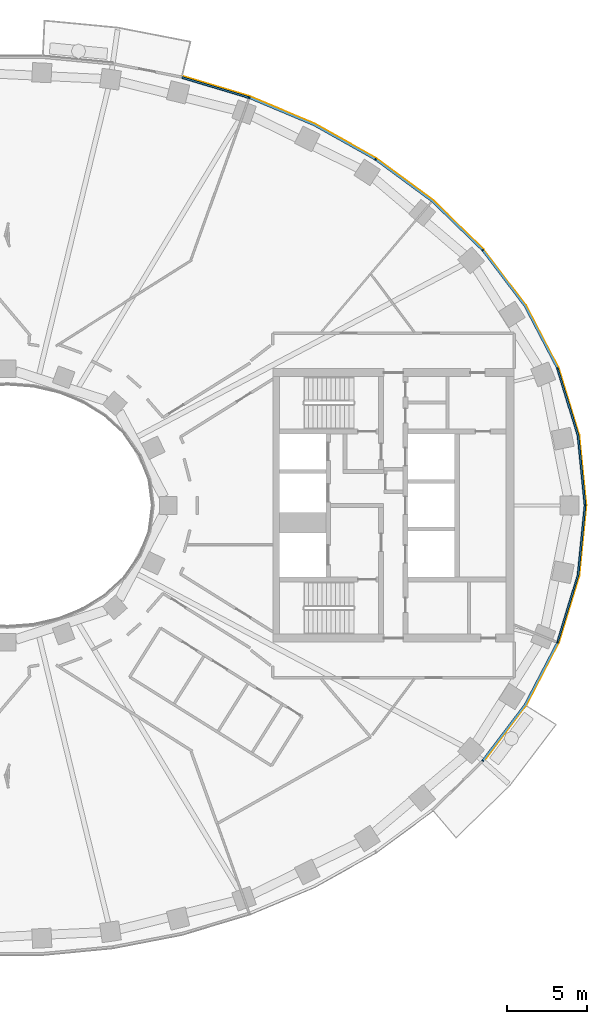
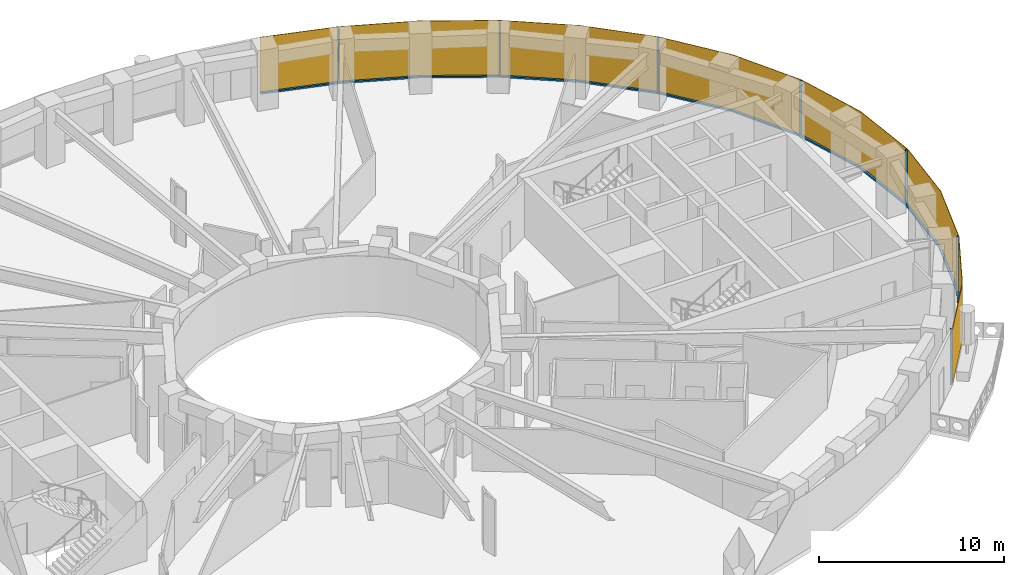
# One storey, part 13 of 16: 14 members, 1 curtain wall.
"""IFC4 building model written with IfcOpenShell, lengths in metres."""

import ifcopenshell
import ifcopenshell.guid

model = None  # the IFC model being written
_history = None  # IfcOwnerHistory: only IFC2X3 demands one
_inside = {}  # id of a spatial element -> (the spatial element, [elements in it])
_under = {}  # id of a project, library or spatial element -> (it, [spatial elements below it])
_declared = {}  # id of a project -> (the project, [libraries it declares])
_typed = {}  # id of a type object -> (the type object, [elements of that type])
_made_of = {}  # id of a material, layer set ... -> (it, [elements and type objects made of it])


def new_model(schema):
    """Start an empty IFC model of exactly this schema.

    Asked for "IFC4X3", IfcOpenShell would pick the latest addendum, in which some entities
    have other attributes; the version numbers below select the first issue.
    IFC2X3 requires an IfcOwnerHistory on every rooted entity: one is made here for all.
    """
    global model, _history
    if schema == "IFC4X3":
        model = ifcopenshell.file(schema_version=(4, 3, 0, 0))
    else:
        model = ifcopenshell.file(schema=schema)
    _inside.clear()
    _under.clear()
    _declared.clear()
    _typed.clear()
    _made_of.clear()
    _history = None
    if model.schema == "IFC2X3":
        org = make("IfcOrganization", Name="unknown")
        user = make(
            "IfcPersonAndOrganization",
            ThePerson=make("IfcPerson", FamilyName="unknown"),
            TheOrganization=org,
        )
        app = make(
            "IfcApplication",
            ApplicationDeveloper=org,
            Version="unknown",
            ApplicationFullName="unknown",
            ApplicationIdentifier="unknown",
        )
        _history = make(
            "IfcOwnerHistory",
            OwningUser=user,
            OwningApplication=app,
            ChangeAction="ADDED",
            CreationDate=0,
        )
    return model


def make(cls, **values):
    """One entity of the class cls with the attributes given. An attribute that is None is left unset."""
    return model.create_entity(
        cls, **{name: value for name, value in values.items() if value is not None}
    )


def rooted(cls, **values):
    """An entity with a GlobalId (a new one), such as an element, a storey or a relation."""
    return make(cls, GlobalId=ifcopenshell.guid.new(), OwnerHistory=_history, **values)


def si_unit(unit_type, name, prefix=None):
    """IfcSIUnit, for example si_unit("LENGTHUNIT", "METRE", prefix="MILLI")."""
    return make("IfcSIUnit", UnitType=unit_type, Prefix=prefix, Name=name)


def assignment(units):
    """IfcUnitAssignment: the units of a project."""
    return None if units is None else make("IfcUnitAssignment", Units=units)


def point(xyz):
    """IfcCartesianPoint."""
    return None if xyz is None else make("IfcCartesianPoint", Coordinates=xyz)


def direction(xyz):
    """IfcDirection."""
    return None if xyz is None else make("IfcDirection", DirectionRatios=xyz)


def frame(location, z_axis=None, x_axis=None):
    """IfcAxis2Placement3D, a coordinate frame: its origin and axes. An axis left out is left unset."""
    return make(
        "IfcAxis2Placement3D",
        Location=point(location),
        Axis=direction(z_axis),
        RefDirection=direction(x_axis),
    )


def frame_2d(location, x_axis=None):
    """IfcAxis2Placement2D, a coordinate frame in the plane: its origin and x axis."""
    return make(
        "IfcAxis2Placement2D", Location=point(location), RefDirection=direction(x_axis)
    )


def origin():
    """The frame at (0, 0, 0) with its axes left unset."""
    return frame((0.0, 0.0, 0.0))


def origin_2d():
    """The frame at (0, 0) in the plane with its x axis left unset."""
    return frame_2d((0.0, 0.0))


def place(relative_to, where):
    """IfcLocalPlacement: puts the frame where relative to a parent placement (None: the world)."""
    return make(
        "IfcLocalPlacement", PlacementRelTo=relative_to, RelativePlacement=where
    )


def context(
    kind, dimensions, precision=None, world=None, true_north=None, identifier=None
):
    """IfcGeometricRepresentationContext, for example the 3D "Model" context."""
    return make(
        "IfcGeometricRepresentationContext",
        ContextIdentifier=identifier,
        ContextType=kind,
        CoordinateSpaceDimension=dimensions,
        Precision=precision,
        WorldCoordinateSystem=world,
        TrueNorth=true_north,
    )


def subcontext(parent, identifier, kind, view, scale=None):
    """IfcGeometricRepresentationSubContext, for example "Body" below "Model"."""
    return make(
        "IfcGeometricRepresentationSubContext",
        ContextIdentifier=identifier,
        ContextType=kind,
        ParentContext=parent,
        TargetScale=scale,
        TargetView=view,
    )


def project(units=None, contexts=None):
    """IfcProject with its units and contexts."""
    return rooted(
        "IfcProject",
        Name="project",
        RepresentationContexts=contexts,
        UnitsInContext=assignment(units),
    )


def spatial(cls, under=None, at=None, **own):
    """A site, building, storey or space (cls), placed at a placement, below another one or the project."""
    s = rooted(cls, ObjectPlacement=at, **own)
    if under is not None:
        _under.setdefault(under.id(), (under, []))[1].append(s)
    return s


def polyline(points):
    """IfcPolyline through the points."""
    return make("IfcPolyline", Points=[point(p) for p in points])


def profile(cls, at=None, kind="AREA", **sizes):
    """A parametric profile (cls). Its sizes go by their IFC names, for example OverallWidth=200.0."""
    return make(cls, ProfileType=kind, Position=at, **sizes)


def rectangle(**sizes):
    """IfcRectangleProfileDef."""
    return profile("IfcRectangleProfileDef", **sizes)


def outline(outer, holes=None, kind="AREA"):
    """IfcArbitraryClosedProfileDef: a profile drawn as a closed curve; with holes, ...WithVoids."""
    if holes is None:
        return make("IfcArbitraryClosedProfileDef", ProfileType=kind, OuterCurve=outer)
    return make(
        "IfcArbitraryProfileDefWithVoids",
        ProfileType=kind,
        OuterCurve=outer,
        InnerCurves=holes,
    )


def extrude(swept, where, along, depth):
    """IfcExtrudedAreaSolid: the profile swept, set in the frame where, extruded along a direction by depth."""
    return make(
        "IfcExtrudedAreaSolid",
        SweptArea=swept,
        Position=where,
        ExtrudedDirection=direction(along),
        Depth=depth,
    )


def shape(context_of_items, identifier, shape_type, items):
    """IfcShapeRepresentation: the items that make up one representation, for example the "Body"."""
    return make(
        "IfcShapeRepresentation",
        ContextOfItems=context_of_items,
        RepresentationIdentifier=identifier,
        RepresentationType=shape_type,
        Items=items,
    )


def material(Name=None, Category=None):
    """IfcMaterial."""
    return make("IfcMaterial", Name=Name, Category=Category)


def layer(
    of_material, thickness, ventilated=None, Name=None, Category=None, Priority=None
):
    """IfcMaterialLayer: one layer of a wall or slab, of a material (None: an air gap)."""
    return make(
        "IfcMaterialLayer",
        Material=of_material,
        LayerThickness=thickness,
        IsVentilated=ventilated,
        Name=Name,
        Category=Category,
        Priority=Priority,
    )


def layer_set(layers, Name=None):
    """IfcMaterialLayerSet."""
    return make("IfcMaterialLayerSet", MaterialLayers=layers, LayerSetName=Name)


def material_profile(
    of_material, cross_section, Name=None, Category=None, Priority=None
):
    """IfcMaterialProfile: a cross section and its material."""
    return make(
        "IfcMaterialProfile",
        Name=Name,
        Material=of_material,
        Profile=cross_section,
        Priority=Priority,
        Category=Category,
    )


def profile_set(profiles, Name=None, composite=None):
    """IfcMaterialProfileSet."""
    return make(
        "IfcMaterialProfileSet",
        Name=Name,
        MaterialProfiles=profiles,
        CompositeProfile=composite,
    )


def made_of(thing, what):
    """Note that an element or type object is made of a material, layer set ...; save() writes the relation."""
    if what is not None:
        _made_of.setdefault(what.id(), (what, []))[1].append(thing)
    return thing


def type_object(cls, material=None, **own):
    """A type object (cls), such as IfcWallType, which elements share."""
    return made_of(rooted(cls, **own), material)


def element(
    cls,
    number,
    at=None,
    inside=None,
    cuts=None,
    type_object=None,
    material=None,
    context=None,
    identifier="Body",
    shape_type=None,
    held_by="IfcProductDefinitionShape",
    body=None,
    shapes=None,
    **own,
):
    """One element of the class cls, such as IfcWall. Its Tag is "e" and its number.

    at: its placement. inside: the storey or other place that contains it. cuts: it is an
    opening in that element (IfcRelVoidsElement). A single representation is given by context,
    identifier, shape_type and body (its items); several are given by shapes. held_by: the class
    of the entity that holds the representations. save() writes the other relations.
    """
    e = rooted(cls, Tag="e%d" % number, ObjectPlacement=at, **own)
    if body is not None:
        shapes = [shape(context, identifier, shape_type, body)]
    if shapes is not None:
        e.Representation = make(held_by, Representations=shapes)
    if inside is not None:
        _inside.setdefault(inside.id(), (inside, []))[1].append(e)
    if cuts is not None:
        rooted(
            "IfcRelVoidsElement", RelatingBuildingElement=cuts, RelatedOpeningElement=e
        )
    if type_object is not None:
        _typed.setdefault(type_object.id(), (type_object, []))[1].append(e)
    return made_of(e, material)


def aggregate(whole, parts):
    """IfcRelAggregates: a whole, such as a stair, and the parts it consists of."""
    return rooted("IfcRelAggregates", RelatingObject=whole, RelatedObjects=parts)


def save(model, path):
    """Write the relations noted so far, then the file.

    IfcRelAggregates (storeys below a building ...), IfcRelContainedInSpatialStructure (elements
    in a storey), IfcRelDefinesByType, IfcRelAssociatesMaterial and IfcRelDeclares: one each for
    every whole, place, type object, material and project.
    """
    for whole, parts in _under.values():
        aggregate(whole, parts)
    for where, things in _inside.values():
        rooted(
            "IfcRelContainedInSpatialStructure",
            RelatedElements=things,
            RelatingStructure=where,
        )
    for kind, things in _typed.values():
        rooted("IfcRelDefinesByType", RelatedObjects=things, RelatingType=kind)
    for what, things in _made_of.values():
        rooted("IfcRelAssociatesMaterial", RelatedObjects=things, RelatingMaterial=what)
    for by, libraries in _declared.values():
        rooted("IfcRelDeclares", RelatingContext=by, RelatedDefinitions=libraries)
    model.write(path)


model = new_model("IFC4")

# Units and contexts
model_context = context("Model", 3, precision=1e-05, world=origin(), true_north=direction((0.0, 1.0)))
body_context = subcontext(model_context, "Body", "Model", "MODEL_VIEW")
ifc_project = project(units=[si_unit("LENGTHUNIT", "METRE"), si_unit("AREAUNIT", "SQUARE_METRE"), si_unit("VOLUMEUNIT", "CUBIC_METRE"), si_unit("PLANEANGLEUNIT", "RADIAN"), si_unit("MASSUNIT", "GRAM", prefix="KILO")], contexts=[model_context])

# Member
ifc_material_1 = material(Name="Aluminium 6063-T6 black anodised", Category="aluminium")
ifc_material_profile = material_profile(ifc_material_1, rectangle(XDim=0.1201171875, YDim=0.06005859375, at=origin_2d()), Name="120x60")
ifc_profile_set = profile_set([ifc_material_profile], Name="Aluminium 6063-T6 black anodised")
member_type_1 = type_object("IfcMemberType", Name="ENV-MULLION-A-120", PredefinedType="MULLION", material=ifc_profile_set)
site_placement = place(None, origin())
building_placement = place(site_placement, origin())
storey_placement = place(building_placement, frame((0.0, 0.0, 166.0)))
member_1_placement = place(storey_placement, frame((29.53857421875, -15.8671875, 0.0), z_axis=(0.0, 0.0, 1.0), x_axis=(-0.749047221705, 0.662516610853, 0.0)))
member_1 = element("IfcMember", 1, at=member_1_placement, type_object=member_type_1, Name="Mullion A radial 43", PredefinedType="MULLION", context=body_context, shape_type="SweptSolid", body=[
    extrude(rectangle(XDim=0.1201171875, YDim=0.06005859375, at=origin_2d()), origin(), (0.0, 0.0, 1.0), 3.699951171875),
])

member_2_placement = place(storey_placement, frame((34.19580078125, -8.513916015625, 0.0), z_axis=(0.0, 0.0, 1.0), x_axis=(-0.92546738067, 0.378827305398, 0.0)))
member_2 = element("IfcMember", 2, at=member_2_placement, type_object=member_type_1, Name="Mullion A radial 45", PredefinedType="MULLION", context=body_context, shape_type="SweptSolid", body=[
    extrude(rectangle(XDim=0.1201171875, YDim=0.06005859375, at=origin_2d()), origin(), (0.0, 0.0, 1.0), 3.699951171875),
])

member_3_placement = place(storey_placement, frame((35.907958984375, 0.0, 0.0), z_axis=(0.0, 0.0, 1.0), x_axis=(-1.0, 0.0, 0.0)))
member_3 = element("IfcMember", 3, at=member_3_placement, type_object=member_type_1, Name="Mullion A radial 01", PredefinedType="MULLION", context=body_context, shape_type="SweptSolid", body=[
    extrude(rectangle(XDim=0.1201171875, YDim=0.06005859375, at=origin_2d()), origin(), (0.0, 0.0, 1.0), 3.699951171875),
])

member_4_placement = place(storey_placement, frame((34.19580078125, 8.513916015625, 0.0), z_axis=(0.0, 0.0, 1.0), x_axis=(-0.92546738067, -0.378827305398, 0.0)))
member_4 = element("IfcMember", 4, at=member_4_placement, type_object=member_type_1, Name="Mullion A radial 03", PredefinedType="MULLION", context=body_context, shape_type="SweptSolid", body=[
    extrude(rectangle(XDim=0.1201171875, YDim=0.06005859375, at=origin_2d()), origin(), (0.0, 0.0, 1.0), 3.699951171875),
])

member_5_placement = place(storey_placement, frame((29.53857421875, 15.8671875, 0.0), z_axis=(0.0, 0.0, 1.0), x_axis=(-0.749047221705, -0.662516610853, 0.0)))
member_5 = element("IfcMember", 5, at=member_5_placement, type_object=member_type_1, Name="Mullion A radial 05", PredefinedType="MULLION", context=body_context, shape_type="SweptSolid", body=[
    extrude(rectangle(XDim=0.1201171875, YDim=0.06005859375, at=origin_2d()), origin(), (0.0, 0.0, 1.0), 3.699951171875),
])

member_6_placement = place(storey_placement, frame((22.882568359375, 21.506591796875, 0.0), z_axis=(0.0, 0.0, 1.0), x_axis=(-0.542279153225, -0.840198381323, 0.0)))
member_6 = element("IfcMember", 6, at=member_6_placement, type_object=member_type_1, Name="Mullion A radial 07", PredefinedType="MULLION", context=body_context, shape_type="SweptSolid", body=[
    extrude(rectangle(XDim=0.1201171875, YDim=0.06005859375, at=origin_2d()), origin(), (0.0, 0.0, 1.0), 3.699951171875),
])

member_7_placement = place(storey_placement, frame((15.0341796875, 25.34375, 0.0), z_axis=(0.0, 0.0, 1.0), x_axis=(-0.338379256581, -0.941009818608, 0.0)))
member_7 = element("IfcMember", 7, at=member_7_placement, type_object=member_type_1, Name="Mullion A radial 09", PredefinedType="MULLION", context=body_context, shape_type="SweptSolid", body=[
    extrude(rectangle(XDim=0.1201171875, YDim=0.06005859375, at=origin_2d()), origin(), (0.0, 0.0, 1.0), 3.699951171875),
])

ifc_material_2 = material(Name="Aluminium 6063-T6 black anodised", Category="aluminium")
member_type_2 = type_object("IfcMemberType", Name="ENV-TRANSOM-A", PredefinedType="USERDEFINED", material=ifc_material_2)
member_8_placement = place(storey_placement, origin())
member_8 = element("IfcMember", 8, at=member_8_placement, type_object=member_type_2, Name="Transom A radial 43-45", ObjectType="TRANSOM", PredefinedType="USERDEFINED", context=body_context, shape_type="SweptSolid", body=[
    extrude(outline(polyline([(29.6005859375, -15.884521484375), (32.22802734375, -12.41748046875), (34.23828125, -8.5615234375), (34.126708984375, -8.515869140625), (32.126220703125, -12.35302734375), (29.51025390625, -15.8046875), (29.6005859375, -15.884521484375)])), origin(), (0.0, 0.0, 1.0), 0.10009765625),
])

member_9_placement = place(storey_placement, origin())
member_9 = element("IfcMember", 9, at=member_9_placement, type_object=member_type_2, Name="Transom A radial 45-01", ObjectType="TRANSOM", PredefinedType="USERDEFINED", context=body_context, shape_type="SweptSolid", body=[
    extrude(outline(polyline([(34.259521484375, -8.509765625), (35.529541015625, -4.352294921875), (35.965087890625, -0.02783203125), (35.844482421875, -0.02783203125), (35.411376953125, -4.32861328125), (34.14794921875, -8.464111328125), (34.259521484375, -8.509765625)])), origin(), (0.0, 0.0, 1.0), 0.10009765625),
])

member_10_placement = place(storey_placement, origin())
member_10 = element("IfcMember", 10, at=member_10_placement, type_object=member_type_2, Name="Transom A radial 01-03", ObjectType="TRANSOM", PredefinedType="USERDEFINED", context=body_context, shape_type="SweptSolid", body=[
    extrude(outline(polyline([(35.965087890625, 0.02783203125), (35.529541015625, 4.352294921875), (34.259521484375, 8.509765625), (34.14794921875, 8.464111328125), (35.411376953125, 4.32861328125), (35.844482421875, 0.02783203125), (35.965087890625, 0.02783203125)])), origin(), (0.0, 0.0, 1.0), 0.10009765625),
])

member_11_placement = place(storey_placement, origin())
member_11 = element("IfcMember", 11, at=member_11_placement, type_object=member_type_2, Name="Transom A radial 03-05", ObjectType="TRANSOM", PredefinedType="USERDEFINED", context=body_context, shape_type="SweptSolid", body=[
    extrude(outline(polyline([(34.23828125, 8.5615234375), (32.22802734375, 12.41748046875), (29.6005859375, 15.884521484375), (29.51025390625, 15.8046875), (32.126220703125, 12.35302734375), (34.126708984375, 8.515869140625), (34.23828125, 8.5615234375)])), origin(), (0.0, 0.0, 1.0), 0.10009765625),
])

member_12_placement = place(storey_placement, origin())
member_12 = element("IfcMember", 12, at=member_12_placement, type_object=member_type_2, Name="Transom A radial 05-07", ObjectType="TRANSOM", PredefinedType="USERDEFINED", context=body_context, shape_type="SweptSolid", body=[
    extrude(outline(polyline([(29.5634765625, 15.926513671875), (26.4423828125, 18.958740234375), (22.937744140625, 21.540283203125), (22.87255859375, 21.439208984375), (26.364501953125, 18.866943359375), (29.473388671875, 15.8466796875), (29.5634765625, 15.926513671875)])), origin(), (0.0, 0.0, 1.0), 0.10009765625),
])

member_13_placement = place(storey_placement, origin())
member_13 = element("IfcMember", 13, at=member_13_placement, type_object=member_type_2, Name="Transom A radial 07-09", ObjectType="TRANSOM", PredefinedType="USERDEFINED", context=body_context, shape_type="SweptSolid", body=[
    extrude(outline(polyline([(22.890625, 21.570556640625), (19.093994140625, 23.701416015625), (15.080322265625, 25.389404296875), (15.03955078125, 25.276123046875), (19.041259765625, 23.593505859375), (22.825439453125, 21.469482421875), (22.890625, 21.570556640625)])), origin(), (0.0, 0.0, 1.0), 0.10009765625),
])

member_14_placement = place(storey_placement, origin())
member_14 = element("IfcMember", 14, at=member_14_placement, type_object=member_type_2, Name="Transom A radial 09-10", ObjectType="TRANSOM", PredefinedType="USERDEFINED", context=body_context, shape_type="SweptSolid", body=[
    extrude(outline(polyline([(15.027587890625, 25.408203125), (10.876708984375, 26.657470703125), (10.847900390625, 26.540771484375), (14.987060546875, 25.295166015625), (15.027587890625, 25.408203125)])), origin(), (0.0, 0.0, 1.0), 0.10009765625),
])

# Site, building, storey
site = spatial("IfcSite", under=ifc_project, at=site_placement, CompositionType="ELEMENT")
building = spatial("IfcBuilding", under=site, at=building_placement, Name="Noorbagh Ring Tower", CompositionType="ELEMENT")
storey = spatial("IfcBuildingStorey", under=building, at=storey_placement, Name="L38", CompositionType="ELEMENT", Elevation=166.0)

# Curtain wall
ifc_material_3 = material(Name="Glass dark tinted laminated", Category="glass")
ifc_layer = layer(ifc_material_3, 0.031982421875)
ifc_layer_set = layer_set([ifc_layer], Name="Glass dark tinted laminated")
curtain_wall_type = type_object("IfcCurtainWallType", Name="ENV-CW-A", PredefinedType="NOTDEFINED", material=ifc_layer_set)
curtain_wall_placement = place(storey_placement, origin())
curtain_wall = element("IfcCurtainWall", 15, at=curtain_wall_placement, inside=storey, type_object=curtain_wall_type, Name="Curtain wall A R43", PredefinedType="NOTDEFINED", context=body_context, shape_type="SweptSolid", body=[
    extrude(outline(polyline([(29.61962890625, -15.912109375), (32.255126953125, -12.434814453125), (34.281005859375, -8.548828125), (35.561279296875, -4.358642578125), (36.0, 0.0), (35.561279296875, 4.358642578125), (34.281005859375, 8.548828125), (32.255126953125, 12.434814453125), (29.607666015625, 15.927978515625), (26.463134765625, 18.9833984375), (22.9326171875, 21.583740234375), (19.108154296875, 23.730224609375), (15.065185546875, 25.430419921875), (10.884521484375, 26.6884765625), (10.876708984375, 26.657470703125), (15.054443359375, 25.400146484375), (19.093994140625, 23.701416015625), (22.9150390625, 21.556884765625), (26.4423828125, 18.958740234375), (29.58349609375, 15.906982421875), (32.22802734375, 12.41748046875), (34.251220703125, 8.53662109375), (35.529541015625, 4.352294921875), (35.9677734375, 0.0), (35.529541015625, -4.352294921875), (34.251220703125, -8.53662109375), (32.22802734375, -12.41748046875), (29.595703125, -15.890869140625), (29.61962890625, -15.912109375)])), origin(), (0.0, 0.0, 1.0), 3.699951171875),
])

aggregate(curtain_wall, [member_1, member_2, member_3, member_4, member_5, member_6, member_7, member_8, member_9, member_10, member_11, member_12, member_13, member_14])

save(model, "model.ifc")
